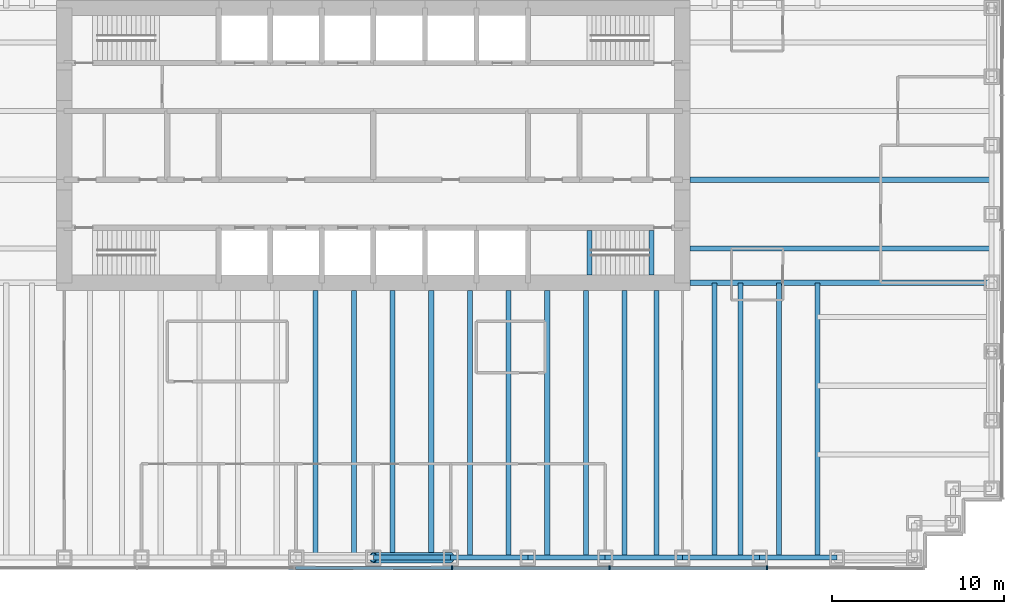
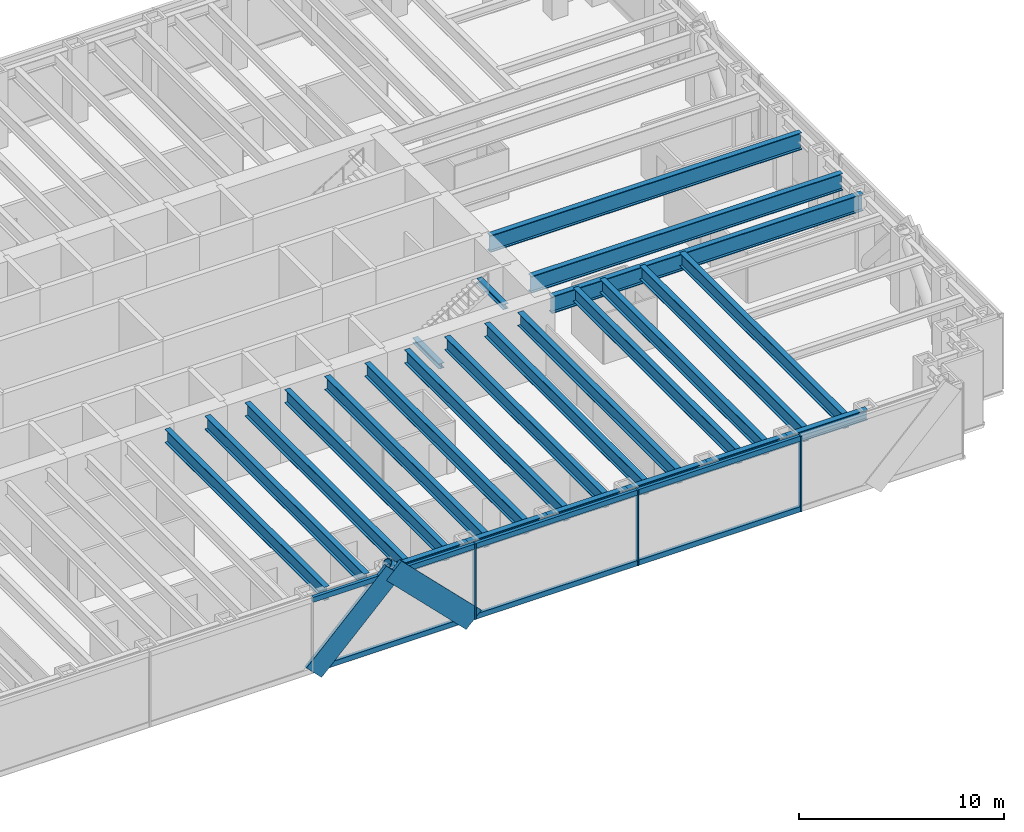
# One storey, part 3 of 13: 25 beams, 12 members, 1 element without a shape of its own.
"""IFC4 building model written with IfcOpenShell, lengths in metres."""

from ifc_helpers import new_model, si_unit, direction, frame, origin, origin_2d, place, context, subcontext, project, spatial, rectangle, hollow_circle, i_section, extrude, material, material_profile, profile_set, type_object, element, aggregate, save


model = new_model("IFC4")

# Units and contexts
model_context = context("Model", 3, precision=1e-05, world=origin(), true_north=direction((0.0, 1.0)))
body_context = subcontext(model_context, "Body", "Model", "MODEL_VIEW")
ifc_project = project(units=[si_unit("LENGTHUNIT", "METRE"), si_unit("AREAUNIT", "SQUARE_METRE"), si_unit("VOLUMEUNIT", "CUBIC_METRE"), si_unit("PLANEANGLEUNIT", "RADIAN"), si_unit("MASSUNIT", "GRAM", prefix="KILO")], contexts=[model_context])

# Site, building, storey
site_placement = place(None, origin())
site = spatial("IfcSite", under=ifc_project, at=site_placement, CompositionType="ELEMENT")
building_placement = place(site_placement, origin())
building = spatial("IfcBuilding", under=site, at=building_placement, Name="Rheinbord Bourse Tower", CompositionType="ELEMENT")
storey_placement = place(building_placement, frame((0.0, 0.0, 27.5)))
storey = spatial("IfcBuildingStorey", under=building, at=storey_placement, Name="L05", CompositionType="ELEMENT", Elevation=27.5)

# Curtain wall, members
ifc_material_1 = material(Name="Dark glass and black aluminium", Category="aluminium")
curtain_wall_type = type_object("IfcCurtainWallType", Name="CW1 DARK GLASS CURTAIN WALL", PredefinedType="USERDEFINED", material=ifc_material_1)
curtain_wall_placement = place(storey_placement, origin())
curtain_wall = element("IfcCurtainWall", 1, at=curtain_wall_placement, inside=storey, type_object=curtain_wall_type, Name="Curtain wall CW1 S L05", ObjectType="UNITISED CURTAIN WALL", PredefinedType="USERDEFINED")
ifc_material_2 = material(Name="Black anodised aluminium", Category="aluminium")
ifc_material_profile_1 = material_profile(ifc_material_2, rectangle(XDim=0.179931640625, YDim=1.2099609375, at=origin_2d()), Name="CW1 DIAGONAL MULLION 1210x180")
ifc_profile_set_1 = profile_set([ifc_material_profile_1], Name="Black anodised aluminium")
member_type_1 = type_object("IfcMemberType", Name="CW1 BLACK DIAGONAL MULLION", PredefinedType="USERDEFINED", material=ifc_profile_set_1)
member_1_placement = place(storey_placement, frame((31.5, -0.60009765625, 0.0), z_axis=(0.707106781187, 0.0, 0.707106781187), x_axis=(0.0, 1.0, 0.0)))
member_1 = element("IfcMember", 2, at=member_1_placement, type_object=member_type_1, Name="CW1 diagonal mullion a", ObjectType="DIAGONAL MULLION", PredefinedType="USERDEFINED", context=body_context, shape_type="SweptSolid", body=[
    extrude(rectangle(XDim=0.179931640625, YDim=1.2099609375, at=origin_2d()), origin(), (0.0, 0.0, 1.0), 6.364013671875),
])
member_2_placement = place(storey_placement, frame((40.5, -0.60009765625, 0.0), z_axis=(-0.707106781187, 0.0, 0.707106781187), x_axis=(0.0, -1.0, 0.0)))
member_2 = element("IfcMember", 3, at=member_2_placement, type_object=member_type_1, Name="CW1 diagonal mullion b", ObjectType="DIAGONAL MULLION", PredefinedType="USERDEFINED", context=body_context, shape_type="SweptSolid", body=[
    extrude(rectangle(XDim=0.179931640625, YDim=1.2099609375, at=origin_2d()), origin(), (0.0, 0.0, 1.0), 6.364013671875),
])
ifc_material_3 = material(Name="Black anodised aluminium", Category="aluminium")
ifc_material_profile_2 = material_profile(ifc_material_3, rectangle(XDim=0.25, YDim=0.080078125, at=origin_2d()), Name="CW1 MULLION 80x250")
ifc_profile_set_2 = profile_set([ifc_material_profile_2], Name="Black anodised aluminium")
member_type_2 = type_object("IfcMemberType", Name="CW1 BLACK MULLION", PredefinedType="MULLION", material=ifc_profile_set_2)
member_3_placement = place(storey_placement, frame((40.585693359375, -0.60009765625, 0.0), z_axis=(0.0, 0.0, 1.0), x_axis=(0.0, 1.0, 0.0)))
member_3 = element("IfcMember", 4, at=member_3_placement, type_object=member_type_2, Name="CW1 mullion 5", PredefinedType="MULLION", context=body_context, shape_type="SweptSolid", body=[
    extrude(rectangle(XDim=0.25, YDim=0.080078125, at=origin_2d()), origin(), (0.0, 0.0, 1.0), 4.5),
])
member_4_placement = place(storey_placement, frame((49.757080078125, -0.60009765625, 0.0), z_axis=(0.0, 0.0, 1.0), x_axis=(0.0, 1.0, 0.0)))
member_4 = element("IfcMember", 5, at=member_4_placement, type_object=member_type_2, Name="CW1 mullion 6", PredefinedType="MULLION", context=body_context, shape_type="SweptSolid", body=[
    extrude(rectangle(XDim=0.25, YDim=0.080078125, at=origin_2d()), origin(), (0.0, 0.0, 1.0), 4.5),
])
member_5_placement = place(storey_placement, frame((58.928466796875, -0.60009765625, 0.0), z_axis=(0.0, 0.0, 1.0), x_axis=(0.0, 1.0, 0.0)))
member_5 = element("IfcMember", 6, at=member_5_placement, type_object=member_type_2, Name="CW1 mullion 7", PredefinedType="MULLION", context=body_context, shape_type="SweptSolid", body=[
    extrude(rectangle(XDim=0.25, YDim=0.080078125, at=origin_2d()), origin(), (0.0, 0.0, 1.0), 4.5),
])
ifc_material_4 = material(Name="Black anodised aluminium", Category="aluminium")
ifc_material_profile_3 = material_profile(ifc_material_4, rectangle(XDim=0.179931640625, YDim=0.300048828125, at=origin_2d()), Name="CW1 TRANSOM 300x180")
ifc_profile_set_3 = profile_set([ifc_material_profile_3], Name="Black anodised aluminium")
member_type_3 = type_object("IfcMemberType", Name="CW1 BLACK TRANSOM", PredefinedType="USERDEFINED", material=ifc_profile_set_3)
member_6_placement = place(storey_placement, frame((31.454345703125, -0.60009765625, 0.14990234375), z_axis=(1.0, 0.0, 0.0), x_axis=(0.0, 1.0, 0.0)))
member_6 = element("IfcMember", 7, at=member_6_placement, type_object=member_type_3, Name="CW1 transom 4.1", ObjectType="TRANSOM", PredefinedType="USERDEFINED", context=body_context, shape_type="SweptSolid", body=[
    extrude(rectangle(XDim=0.179931640625, YDim=0.300048828125, at=origin_2d()), origin(), (0.0, 0.0, 1.0), 9.09130859375),
])
member_7_placement = place(storey_placement, frame((31.454345703125, -0.60009765625, 4.35009765625), z_axis=(1.0, 0.0, 0.0), x_axis=(0.0, 1.0, 0.0)))
member_7 = element("IfcMember", 8, at=member_7_placement, type_object=member_type_3, Name="CW1 transom 4.2", ObjectType="TRANSOM", PredefinedType="USERDEFINED", context=body_context, shape_type="SweptSolid", body=[
    extrude(rectangle(XDim=0.179931640625, YDim=0.300048828125, at=origin_2d()), origin(), (0.0, 0.0, 1.0), 9.09130859375),
])
member_8_placement = place(storey_placement, frame((40.625732421875, -0.60009765625, 0.14990234375), z_axis=(1.0, 0.0, 0.0), x_axis=(0.0, 1.0, 0.0)))
member_8 = element("IfcMember", 9, at=member_8_placement, type_object=member_type_3, Name="CW1 transom 5.1", ObjectType="TRANSOM", PredefinedType="USERDEFINED", context=body_context, shape_type="SweptSolid", body=[
    extrude(rectangle(XDim=0.179931640625, YDim=0.300048828125, at=origin_2d()), origin(), (0.0, 0.0, 1.0), 9.09130859375),
])
member_9_placement = place(storey_placement, frame((40.625732421875, -0.60009765625, 4.35009765625), z_axis=(1.0, 0.0, 0.0), x_axis=(0.0, 1.0, 0.0)))
member_9 = element("IfcMember", 10, at=member_9_placement, type_object=member_type_3, Name="CW1 transom 5.2", ObjectType="TRANSOM", PredefinedType="USERDEFINED", context=body_context, shape_type="SweptSolid", body=[
    extrude(rectangle(XDim=0.179931640625, YDim=0.300048828125, at=origin_2d()), origin(), (0.0, 0.0, 1.0), 9.09130859375),
])
member_10_placement = place(storey_placement, frame((49.797119140625, -0.60009765625, 0.14990234375), z_axis=(1.0, 0.0, 0.0), x_axis=(0.0, 1.0, 0.0)))
member_10 = element("IfcMember", 11, at=member_10_placement, type_object=member_type_3, Name="CW1 transom 6.1", ObjectType="TRANSOM", PredefinedType="USERDEFINED", context=body_context, shape_type="SweptSolid", body=[
    extrude(rectangle(XDim=0.179931640625, YDim=0.300048828125, at=origin_2d()), origin(), (0.0, 0.0, 1.0), 9.091552734375),
])
member_11_placement = place(storey_placement, frame((49.797119140625, -0.60009765625, 4.35009765625), z_axis=(1.0, 0.0, 0.0), x_axis=(0.0, 1.0, 0.0)))
member_11 = element("IfcMember", 12, at=member_11_placement, type_object=member_type_3, Name="CW1 transom 6.2", ObjectType="TRANSOM", PredefinedType="USERDEFINED", context=body_context, shape_type="SweptSolid", body=[
    extrude(rectangle(XDim=0.179931640625, YDim=0.300048828125, at=origin_2d()), origin(), (0.0, 0.0, 1.0), 9.091552734375),
])
aggregate(curtain_wall, [member_3, member_4, member_5, member_6, member_7, member_8, member_9, member_10, member_11, member_1, member_2])

# Beams
ifc_material_5 = material(Name="Steel S460", Category="steel")
ifc_material_profile_4 = material_profile(ifc_material_5, i_section(OverallWidth=0.302001953125, OverallDepth=1.008056640625, WebThickness=0.02099609375, FlangeThickness=0.0400390625, at=origin_2d()), Name="HEM 1000")
ifc_profile_set_4 = profile_set([ifc_material_profile_4], Name="Steel S460")
beam_type_1 = type_object("IfcBeamType", Name="END BEAM HEM 1000", PredefinedType="BEAM", material=ifc_profile_set_4)
for number, where, z_axis, x_axis, name in (
    (13, (54.449951171875, 18.0, 3.81591796875), (1.0, 0.0, 0.0), (0.0, 1.0, 0.0), "End beam east 18 L06"),
    (14, (54.449951171875, 22.0, 3.81591796875), (1.0, 0.0, 0.0), (0.0, 1.0, 0.0), "End beam east 22 L06"),
):
    element("IfcBeam", number, at=place(storey_placement, frame(where, z_axis=z_axis, x_axis=x_axis)), inside=storey, type_object=beam_type_1, Name=name, PredefinedType="BEAM", context=body_context, shape_type="SweptSolid", body=[
        extrude(i_section(OverallWidth=0.302001953125, OverallDepth=1.008056640625, WebThickness=0.02099609375, FlangeThickness=0.0400390625, at=origin_2d()), origin(), (0.0, 0.0, 1.0), 17.550048828125),
    ])
ifc_material_6 = material(Name="Steel S460", Category="steel")
ifc_material_profile_5 = material_profile(ifc_material_6, i_section(OverallWidth=0.300048828125, OverallDepth=0.800048828125, WebThickness=0.017578125, FlangeThickness=0.032958984375, at=origin_2d()), Name="HEB 800")
ifc_profile_set_5 = profile_set([ifc_material_profile_5], Name="Steel S460")
beam_type_2 = type_object("IfcBeamType", Name="FLOOR BEAM HEB 800", PredefinedType="BEAM", material=ifc_profile_set_5)
for number, where, z_axis, x_axis, name in (
    (15, (32.625, 0.0, 3.919921875), (0.0, 1.0, 0.0), (-1.0, 0.0, 0.0), "Floor beam S-31.5a L06"),
    (16, (34.875, 0.0, 3.919921875), (0.0, 1.0, 0.0), (-1.0, 0.0, 0.0), "Floor beam S-31.5b L06"),
    (17, (37.125, 0.0, 3.919921875), (0.0, 1.0, 0.0), (-1.0, 0.0, 0.0), "Floor beam S-36a L06"),
    (18, (39.375, 0.0, 3.919921875), (0.0, 1.0, 0.0), (-1.0, 0.0, 0.0), "Floor beam S-36b L06"),
    (19, (41.625, 0.0, 3.919921875), (0.0, 1.0, 0.0), (-1.0, 0.0, 0.0), "Floor beam S-40.5a L06"),
    (20, (43.875, 0.0, 3.919921875), (0.0, 1.0, 0.0), (-1.0, 0.0, 0.0), "Floor beam S-40.5b L06"),
    (21, (46.125, 0.0, 3.919921875), (0.0, 1.0, 0.0), (-1.0, 0.0, 0.0), "Floor beam S-45a L06"),
    (22, (48.375, 0.0, 3.919921875), (0.0, 1.0, 0.0), (-1.0, 0.0, 0.0), "Floor beam S-45b L06"),
    (23, (50.625, 0.0, 3.919921875), (0.0, 1.0, 0.0), (-1.0, 0.0, 0.0), "Floor beam S-49.5a L06"),
    (24, (52.5, 0.0, 3.919921875), (0.0, 1.0, 0.0), (-1.0, 0.0, 0.0), "Floor beam S-49.5b L06"),
):
    element("IfcBeam", number, at=place(storey_placement, frame(where, z_axis=z_axis, x_axis=x_axis)), inside=storey, type_object=beam_type_2, Name=name, PredefinedType="BEAM", context=body_context, shape_type="SweptSolid", body=[
        extrude(i_section(OverallWidth=0.300048828125, OverallDepth=0.800048828125, WebThickness=0.017578125, FlangeThickness=0.032958984375, at=origin_2d()), origin(), (0.0, 0.0, 1.0), 15.550048828125),
    ])
for number, where, z_axis, x_axis, name in (
    (25, (55.875, 0.0, 3.919921875), (0.0, 1.0, 0.0), (-1.0, 0.0, 0.0), "Floor beam S-54a L06"),
    (26, (57.375, 0.0, 3.919921875), (0.0, 1.0, 0.0), (-1.0, 0.0, 0.0), "Floor beam S-54b L06"),
    (27, (59.625, 0.0, 3.919921875), (0.0, 1.0, 0.0), (-1.0, 0.0, 0.0), "Floor beam S-58.5a L06"),
    (28, (61.875, 0.0, 3.919921875), (0.0, 1.0, 0.0), (-1.0, 0.0, 0.0), "Floor beam S-58.5b L06"),
):
    element("IfcBeam", number, at=place(storey_placement, frame(where, z_axis=z_axis, x_axis=x_axis)), inside=storey, type_object=beam_type_2, Name=name, PredefinedType="BEAM", context=body_context, shape_type="SweptSolid", body=[
        extrude(i_section(OverallWidth=0.300048828125, OverallDepth=0.800048828125, WebThickness=0.017578125, FlangeThickness=0.032958984375, at=origin_2d()), origin(), (0.0, 0.0, 1.0), 16.0),
    ])
ifc_material_7 = material(Name="Steel S460", Category="steel")
ifc_material_profile_6 = material_profile(ifc_material_7, i_section(OverallWidth=0.302001953125, OverallDepth=1.008056640625, WebThickness=0.02099609375, FlangeThickness=0.0400390625, at=origin_2d()), Name="HEM 1000")
ifc_profile_set_6 = profile_set([ifc_material_profile_6], Name="Steel S460")
beam_type_3 = type_object("IfcBeamType", Name="GIRDER HEM 1000", PredefinedType="BEAM", material=ifc_profile_set_6)
beam_placement = place(storey_placement, frame((54.449951171875, 16.0, 3.81591796875), z_axis=(1.0, 0.0, 0.0), x_axis=(0.0, 1.0, 0.0)))
element("IfcBeam", 29, at=beam_placement, inside=storey, type_object=beam_type_3, Name="Girder east 16 L06", PredefinedType="BEAM", context=body_context, shape_type="SweptSolid", body=[
    extrude(i_section(OverallWidth=0.302001953125, OverallDepth=1.008056640625, WebThickness=0.02099609375, FlangeThickness=0.0400390625, at=origin_2d()), origin(), (0.0, 0.0, 1.0), 17.550048828125),
])
ifc_material_8 = material(Name="Steel S460", Category="steel")
ifc_material_profile_7 = material_profile(ifc_material_8, i_section(OverallWidth=0.300048828125, OverallDepth=0.300048828125, WebThickness=0.010986328125, FlangeThickness=0.01904296875, at=origin_2d()), Name="HEB 300")
ifc_profile_set_7 = profile_set([ifc_material_profile_7], Name="Steel S460")
beam_type_4 = type_object("IfcBeamType", Name="LANDING TRIMMER HEB 300", PredefinedType="BEAM", material=ifc_profile_set_7)
for number, where, z_axis, x_axis, name in (
    (30, (48.590087890625, 16.449951171875, 1.89990234375), (0.0, 1.0, 0.0), (-1.0, 0.0, 0.0), "Landing trimmer ST3 L05"),
    (31, (52.199951171875, 16.449951171875, 4.169921875), (0.0, 1.0, 0.0), (-1.0, 0.0, 0.0), "Well trimmer ST3 under L06"),
):
    element("IfcBeam", number, at=place(storey_placement, frame(where, z_axis=z_axis, x_axis=x_axis)), inside=storey, type_object=beam_type_4, Name=name, PredefinedType="BEAM", context=body_context, shape_type="SweptSolid", body=[
        extrude(i_section(OverallWidth=0.300048828125, OverallDepth=0.300048828125, WebThickness=0.010986328125, FlangeThickness=0.01904296875, at=origin_2d()), origin(), (0.0, 0.0, 1.0), 2.60009765625),
    ])

# Member
ifc_material_9 = material(Name="Steel S460", Category="steel")
ifc_material_profile_8 = material_profile(ifc_material_9, hollow_circle(Radius=0.304931640625, WallThickness=0.050048828125, at=origin_2d()), Name="CHS 610x50")
ifc_profile_set_8 = profile_set([ifc_material_profile_8], Name="Steel S460")
member_type_4 = type_object("IfcMemberType", Name="MEGABRACE CHS 610x50", PredefinedType="BRACE", material=ifc_profile_set_8)
member_12_placement = place(storey_placement, frame((40.5, 0.0, 0.0), z_axis=(-0.707106781187, 0.0, 0.707106781187), x_axis=(0.0, -1.0, 0.0)))
element("IfcMember", 32, at=member_12_placement, inside=storey, type_object=member_type_4, Name="Megabrace S face line b L05", PredefinedType="BRACE", context=body_context, shape_type="SweptSolid", body=[
    extrude(hollow_circle(Radius=0.304931640625, WallThickness=0.050048828125, at=origin_2d()), origin(), (0.0, 0.0, 1.0), 6.364013671875),
])

# Beams
ifc_material_10 = material(Name="Steel S460", Category="steel")
ifc_material_profile_9 = material_profile(ifc_material_10, i_section(OverallWidth=0.304931640625, OverallDepth=0.6201171875, WebThickness=0.02099609375, FlangeThickness=0.0400390625, at=origin_2d()), Name="HEM 600")
ifc_profile_set_9 = profile_set([ifc_material_profile_9], Name="Steel S460")
beam_type_5 = type_object("IfcBeamType", Name="SPANDREL HEM 600", PredefinedType="SPANDREL", material=ifc_profile_set_9)
for number, where, z_axis, x_axis, name in (
    (33, (36.0, 0.0, 4.010009765625), (1.0, 0.0, 0.0), (0.0, 1.0, 0.0), "Spandrel S-36-S-40.5 under L06"),
    (34, (40.5, 0.0, 4.010009765625), (1.0, 0.0, 0.0), (0.0, 1.0, 0.0), "Spandrel S-40.5-S-45 under L06"),
    (35, (45.0, 0.0, 4.010009765625), (1.0, 0.0, 0.0), (0.0, 1.0, 0.0), "Spandrel S-45-S-49.5 under L06"),
    (36, (49.5, 0.0, 4.010009765625), (1.0, 0.0, 0.0), (0.0, 1.0, 0.0), "Spandrel S-49.5-S-54 under L06"),
    (37, (54.0, 0.0, 4.010009765625), (1.0, 0.0, 0.0), (0.0, 1.0, 0.0), "Spandrel S-54-S-58.5 under L06"),
    (38, (58.5, 0.0, 4.010009765625), (1.0, 0.0, 0.0), (0.0, 1.0, 0.0), "Spandrel S-58.5-S-63 under L06"),
):
    element("IfcBeam", number, at=place(storey_placement, frame(where, z_axis=z_axis, x_axis=x_axis)), inside=storey, type_object=beam_type_5, Name=name, PredefinedType="SPANDREL", context=body_context, shape_type="SweptSolid", body=[
        extrude(i_section(OverallWidth=0.304931640625, OverallDepth=0.6201171875, WebThickness=0.02099609375, FlangeThickness=0.0400390625, at=origin_2d()), origin(), (0.0, 0.0, 1.0), 4.5),
    ])

save(model, "model.ifc")
